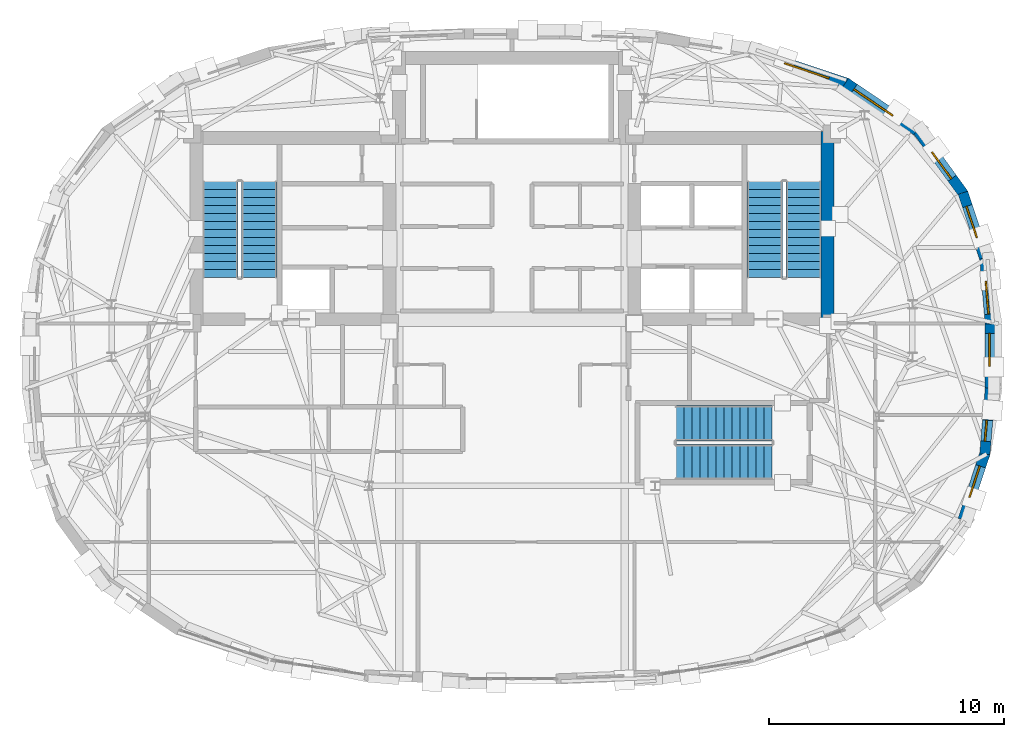
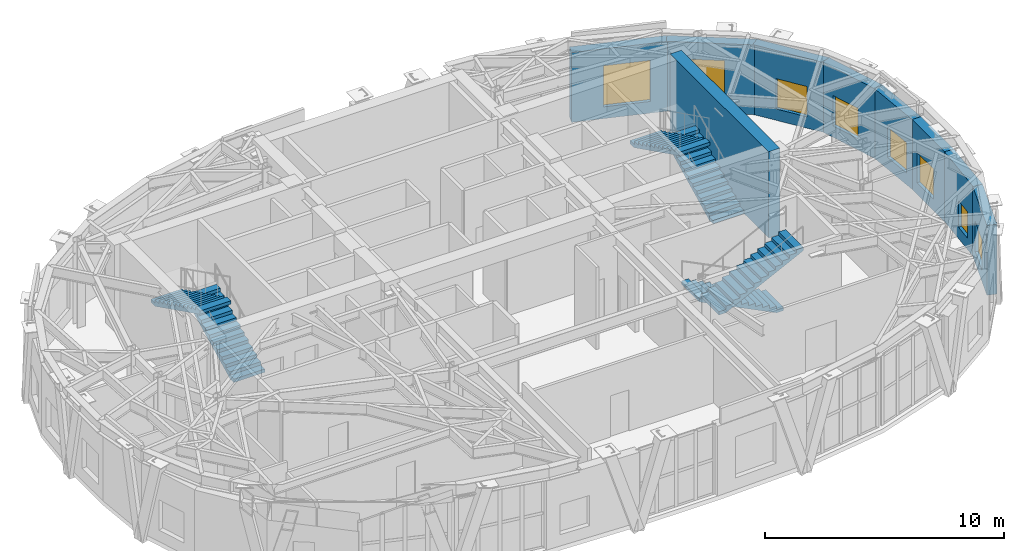
# One storey, part 13 of 16: 9 walls, 8 windows, 6 stair flights, 8 openings, 3 elements without a shape of their own.
"""IFC4 building model written with IfcOpenShell, lengths in metres."""

from ifc_helpers import new_model, si_unit, direction, frame, frame_2d, origin, place, context, subcontext, project, spatial, polyline, rectangle, outline, extrude, material, layer, layer_set, type_object, element, fill, aggregate, save


model = new_model("IFC4")

# Units and contexts
model_context = context("Model", 3, precision=1e-05, world=origin(), true_north=direction((0.0, 1.0)))
body_context = subcontext(model_context, "Body", "Model", "MODEL_VIEW")
ifc_project = project(units=[si_unit("LENGTHUNIT", "METRE"), si_unit("AREAUNIT", "SQUARE_METRE"), si_unit("VOLUMEUNIT", "CUBIC_METRE"), si_unit("PLANEANGLEUNIT", "RADIAN"), si_unit("MASSUNIT", "GRAM", prefix="KILO")], contexts=[model_context])

# Site, building, storey
site_placement = place(None, origin())
site = spatial("IfcSite", under=ifc_project, at=site_placement, CompositionType="ELEMENT")
building_placement = place(site_placement, origin())
building = spatial("IfcBuilding", under=site, at=building_placement, Name="Keldmark Tower", CompositionType="ELEMENT")
storey_placement = place(building_placement, frame((0.0, 0.0, 264.800048828125)))
storey = spatial("IfcBuildingStorey", under=building, at=storey_placement, Name="L75", CompositionType="ELEMENT", Elevation=264.800048828125)

# Wall
ifc_material_1 = material(Name="Concrete C50/60", Category="concrete")
ifc_layer_1 = layer(ifc_material_1, 0.550048828125)
ifc_layer_set_1 = layer_set([ifc_layer_1], Name="Concrete C50/60")
wall_type_1 = type_object("IfcWallType", Name="High-Rise Core Shear Wall 550 mm", PredefinedType="SHEAR", material=ifc_layer_set_1)
wall_1_placement = place(storey_placement, frame((13.425048828125, 1.300048828125, 0.0), z_axis=(0.0, 0.0, 1.0), x_axis=(0.0, 1.0, 0.0)))
element("IfcWall", 1, at=wall_1_placement, inside=storey, type_object=wall_type_1, Name="L75 East Core Outer Shear Wall", PredefinedType="SHEAR", context=body_context, shape_type="SweptSolid", body=[
    extrude(rectangle(XDim=8.25, YDim=0.550048828125, at=frame_2d((4.125, 0.0))), origin(), (0.0, 0.0, 1.0), 4.39990234375),
])

# Wall, opening, window
ifc_material_2 = material(Name="Ironspot Manganese Brick and Kasota Buff Limestone Spandrel Assembly", Category="masonry")
ifc_layer_2 = layer(ifc_material_2, 0.43994140625)
ifc_layer_set_2 = layer_set([ifc_layer_2], Name="Ironspot Manganese Brick and Kasota Buff Limestone Spandrel Assembly")
wall_type_2 = type_object("IfcWallType", Name="Tower Brick Pier and Spandrel Wall 440 mm", PredefinedType="STANDARD", material=ifc_layer_set_2)
wall_2_placement = place(storey_placement, frame((20.106201171875, 4.16162109375, 0.0), z_axis=(0.0, 0.0, 1.0), x_axis=(0.083719665048, -0.996489346498, 0.0)))
wall_2 = element("IfcWall", 2, at=wall_2_placement, inside=storey, type_object=wall_type_2, Name="L75 Exterior Brick and Spandrel Wall 01", PredefinedType="STANDARD", context=body_context, shape_type="SweptSolid", body=[
    extrude(rectangle(XDim=2.817138671875, YDim=0.43994140625, at=frame_2d((1.40869140625, 0.0))), origin(), (0.0, 0.0, 1.0), 3.56591796875),
])
opening_1_placement = place(wall_2_placement, frame((0.974853515625, 0.0, 0.60009765625)))
opening_1 = element("IfcOpeningElement", 3, at=opening_1_placement, cuts=wall_2, Name="Opening W-08", PredefinedType="OPENING", context=body_context, shape_type="SweptSolid", body=[
    extrude(rectangle(XDim=1.39990234375, YDim=1.550048828125, at=frame_2d((0.699951171875, 0.77490234375))), frame((0.0, 0.22998046875, 0.0), z_axis=(0.0, -1.0, 0.0), x_axis=(1.0, 0.0, 0.0)), (0.0, 0.0, 1.0), 0.4599609375),
])
ifc_material_3 = material(Name="Thermally Broken Anodized Aluminum and Triple Low-E Argon Glazing", Category="aluminium")
window_type_1 = type_object("IfcWindowType", Name="Residential Corner Punched Window 1400x1550", PartitioningType="SINGLE_PANEL", PredefinedType="WINDOW", material=ifc_material_3)
window_1_placement = place(opening_1_placement, origin())
window_1 = element("IfcWindow", 4, at=window_1_placement, inside=storey, type_object=window_type_1, Name="L75 Deep-Set Window 01", OverallHeight=1.550048828125, OverallWidth=1.39990234375, PartitioningType="SINGLE_PANEL", PredefinedType="WINDOW", context=body_context, shape_type="SweptSolid", body=[
    extrude(rectangle(XDim=1.39990234375, YDim=1.550048828125, at=frame_2d((0.699951171875, 0.77490234375))), frame((0.0, -0.010009765625, 0.0), z_axis=(0.0, -1.0, 0.0), x_axis=(1.0, 0.0, 0.0)), (0.0, 0.0, 1.0), 0.06005859375),
])
fill(opening_1, window_1)

wall_3_placement = place(storey_placement, frame((19.175537109375, 6.955078125, 0.0), z_axis=(0.0, 0.0, 1.0), x_axis=(0.314148979119, -0.949373698245, 0.0)))
wall_3 = element("IfcWall", 5, at=wall_3_placement, inside=storey, type_object=wall_type_2, Name="L75 Exterior Brick and Spandrel Wall 02", PredefinedType="STANDARD", context=body_context, shape_type="SweptSolid", body=[
    extrude(rectangle(XDim=2.995849609375, YDim=0.43994140625, at=frame_2d((1.498046875, 0.0))), origin(), (0.0, 0.0, 1.0), 3.56591796875),
])
opening_2_placement = place(wall_3_placement, frame((0.5986328125, 0.0, 0.580078125)))
opening_2 = element("IfcOpeningElement", 6, at=opening_2_placement, cuts=wall_3, Name="Opening W-08", PredefinedType="OPENING", context=body_context, shape_type="SweptSolid", body=[
    extrude(rectangle(XDim=1.39990234375, YDim=1.550048828125, at=frame_2d((0.699951171875, 0.77490234375))), frame((0.0, 0.22998046875, 0.0), z_axis=(0.0, -1.0, 0.0), x_axis=(1.0, 0.0, 0.0)), (0.0, 0.0, 1.0), 0.4599609375),
])
window_2_placement = place(opening_2_placement, origin())
window_2 = element("IfcWindow", 7, at=window_2_placement, inside=storey, type_object=window_type_1, Name="L75 Deep-Set Window 02", OverallHeight=1.550048828125, OverallWidth=1.39990234375, PartitioningType="SINGLE_PANEL", PredefinedType="WINDOW", context=body_context, shape_type="SweptSolid", body=[
    extrude(rectangle(XDim=1.39990234375, YDim=1.550048828125, at=frame_2d((0.699951171875, 0.77490234375))), frame((0.0, -0.010009765625, 0.0), z_axis=(0.0, -1.0, 0.0), x_axis=(1.0, 0.0, 0.0)), (0.0, 0.0, 1.0), 0.06005859375),
])
fill(opening_2, window_2)

wall_4_placement = place(storey_placement, frame((17.260498046875, 9.57275390625, 0.0), z_axis=(0.0, 0.0, 1.0), x_axis=(0.5878953838, -0.808936967697, 0.0)))
wall_4 = element("IfcWall", 8, at=wall_4_placement, inside=storey, type_object=wall_type_2, Name="L75 Exterior Brick and Spandrel Wall 03", PredefinedType="STANDARD", context=body_context, shape_type="SweptSolid", body=[
    extrude(rectangle(XDim=3.310302734375, YDim=0.43994140625, at=frame_2d((1.6552734375, 0.0))), origin(), (0.0, 0.0, 1.0), 3.56591796875),
])
opening_3_placement = place(wall_4_placement, frame((1.076904296875, 0.0, 0.580078125)))
opening_3 = element("IfcOpeningElement", 9, at=opening_3_placement, cuts=wall_4, Name="Opening W-08", PredefinedType="OPENING", context=body_context, shape_type="SweptSolid", body=[
    extrude(rectangle(XDim=1.39990234375, YDim=1.550048828125, at=frame_2d((0.699951171875, 0.77490234375))), frame((0.0, 0.22998046875, 0.0), z_axis=(0.0, -1.0, 0.0), x_axis=(1.0, 0.0, 0.0)), (0.0, 0.0, 1.0), 0.4599609375),
])
window_3_placement = place(opening_3_placement, origin())
window_3 = element("IfcWindow", 10, at=window_3_placement, inside=storey, type_object=window_type_1, Name="L75 Deep-Set Window 03", OverallHeight=1.550048828125, OverallWidth=1.39990234375, PartitioningType="SINGLE_PANEL", PredefinedType="WINDOW", context=body_context, shape_type="SweptSolid", body=[
    extrude(rectangle(XDim=1.39990234375, YDim=1.550048828125, at=frame_2d((0.699951171875, 0.77490234375))), frame((0.0, -0.010009765625, 0.0), z_axis=(0.0, -1.0, 0.0), x_axis=(1.0, 0.0, 0.0)), (0.0, 0.0, 1.0), 0.06005859375),
])
fill(opening_3, window_3)

wall_5_placement = place(storey_placement, frame((14.18798828125, 11.639892578125, 0.0), z_axis=(0.0, 0.0, 1.0), x_axis=(0.827740547026, -0.56111102895, 0.0)))
wall_5 = element("IfcWall", 11, at=wall_5_placement, inside=storey, type_object=wall_type_2, Name="L75 Exterior Brick and Spandrel Wall 04", PredefinedType="STANDARD", context=body_context, shape_type="SweptSolid", body=[
    extrude(rectangle(XDim=3.778076171875, YDim=0.43994140625, at=frame_2d((1.88916015625, 0.0))), origin(), (0.0, 0.0, 1.0), 3.56591796875),
])
opening_4_placement = place(wall_5_placement, frame((0.446044921875, 0.0, 0.60009765625)))
opening_4 = element("IfcOpeningElement", 12, at=opening_4_placement, cuts=wall_5, Name="Opening W-06", PredefinedType="OPENING", context=body_context, shape_type="SweptSolid", body=[
    extrude(rectangle(XDim=2.0, YDim=2.10009765625, at=frame_2d((1.0, 1.050048828125))), frame((0.0, 0.22998046875, 0.0), z_axis=(0.0, -1.0, 0.0), x_axis=(1.0, 0.0, 0.0)), (0.0, 0.0, 1.0), 0.4599609375),
])
ifc_material_4 = material(Name="Thermally Broken Anodized Aluminum and Triple Low-E Argon Glazing", Category="aluminium")
window_type_2 = type_object("IfcWindowType", Name="Sky Lounge Tall Punched Window 2000x2100", PartitioningType="SINGLE_PANEL", PredefinedType="WINDOW", material=ifc_material_4)
window_4_placement = place(opening_4_placement, origin())
window_4 = element("IfcWindow", 13, at=window_4_placement, inside=storey, type_object=window_type_2, Name="L75 Deep-Set Window 04", OverallHeight=2.10009765625, OverallWidth=2.0, PartitioningType="SINGLE_PANEL", PredefinedType="WINDOW", context=body_context, shape_type="SweptSolid", body=[
    extrude(rectangle(XDim=2.0, YDim=2.10009765625, at=frame_2d((1.0, 1.050048828125))), frame((0.0, -0.010009765625, 0.0), z_axis=(0.0, -1.0, 0.0), x_axis=(1.0, 0.0, 0.0)), (0.0, 0.0, 1.0), 0.06005859375),
])
fill(opening_4, window_4)

wall_6_placement = place(storey_placement, frame((10.29150390625, 12.9326171875, 0.0), z_axis=(0.0, 0.0, 1.0), x_axis=(0.948495542397, -0.316790476583, 0.0)))
wall_6 = element("IfcWall", 14, at=wall_6_placement, inside=storey, type_object=wall_type_2, Name="L75 Exterior Brick and Spandrel Wall 05", PredefinedType="STANDARD", context=body_context, shape_type="SweptSolid", body=[
    extrude(rectangle(XDim=4.164794921875, YDim=0.43994140625, at=frame_2d((2.08251953125, 0.0))), origin(), (0.0, 0.0, 1.0), 3.56591796875),
])
opening_5_placement = place(wall_6_placement, frame((1.37646484375, 0.0, 0.60009765625)))
opening_5 = element("IfcOpeningElement", 15, at=opening_5_placement, cuts=wall_6, Name="Opening W-06", PredefinedType="OPENING", context=body_context, shape_type="SweptSolid", body=[
    extrude(rectangle(XDim=2.0, YDim=2.10009765625, at=frame_2d((1.0, 1.050048828125))), frame((0.0, 0.22998046875, 0.0), z_axis=(0.0, -1.0, 0.0), x_axis=(1.0, 0.0, 0.0)), (0.0, 0.0, 1.0), 0.4599609375),
])
window_5_placement = place(opening_5_placement, origin())
window_5 = element("IfcWindow", 16, at=window_5_placement, inside=storey, type_object=window_type_2, Name="L75 Deep-Set Window 05", OverallHeight=2.10009765625, OverallWidth=2.0, PartitioningType="SINGLE_PANEL", PredefinedType="WINDOW", context=body_context, shape_type="SweptSolid", body=[
    extrude(rectangle(XDim=2.0, YDim=2.10009765625, at=frame_2d((1.0, 1.050048828125))), frame((0.0, -0.010009765625, 0.0), z_axis=(0.0, -1.0, 0.0), x_axis=(1.0, 0.0, 0.0)), (0.0, 0.0, 1.0), 0.06005859375),
])
fill(opening_5, window_5)

wall_7_placement = place(storey_placement, frame((20.11669921875, -4.11083984375, 0.0), z_axis=(0.0, 0.0, 1.0), x_axis=(-0.314148979119, -0.949373698245, 0.0)))
wall_7 = element("IfcWall", 17, at=wall_7_placement, inside=storey, type_object=wall_type_2, Name="L75 Exterior Brick and Spandrel Wall 30", PredefinedType="STANDARD", context=body_context, shape_type="SweptSolid", body=[
    extrude(rectangle(XDim=2.995849609375, YDim=0.43994140625, at=frame_2d((1.498046875, 0.0))), origin(), (0.0, 0.0, 1.0), 3.56591796875),
])
opening_6_placement = place(wall_7_placement, frame((0.5986328125, 0.0, 0.580078125)))
opening_6 = element("IfcOpeningElement", 18, at=opening_6_placement, cuts=wall_7, Name="Opening W-08", PredefinedType="OPENING", context=body_context, shape_type="SweptSolid", body=[
    extrude(rectangle(XDim=1.39990234375, YDim=1.550048828125, at=frame_2d((0.699951171875, 0.77490234375))), frame((0.0, 0.22998046875, 0.0), z_axis=(0.0, -1.0, 0.0), x_axis=(1.0, 0.0, 0.0)), (0.0, 0.0, 1.0), 0.4599609375),
])
window_6_placement = place(opening_6_placement, origin())
window_6 = element("IfcWindow", 19, at=window_6_placement, inside=storey, type_object=window_type_1, Name="L75 Deep-Set Window 30", OverallHeight=1.550048828125, OverallWidth=1.39990234375, PartitioningType="SINGLE_PANEL", PredefinedType="WINDOW", context=body_context, shape_type="SweptSolid", body=[
    extrude(rectangle(XDim=1.39990234375, YDim=1.550048828125, at=frame_2d((0.699951171875, 0.77490234375))), frame((0.0, -0.010009765625, 0.0), z_axis=(0.0, -1.0, 0.0), x_axis=(1.0, 0.0, 0.0)), (0.0, 0.0, 1.0), 0.06005859375),
])
fill(opening_6, window_6)

wall_8_placement = place(storey_placement, frame((20.342041015625, -1.3544921875, 0.0), z_axis=(0.0, 0.0, 1.0), x_axis=(-0.083719665048, -0.996489346498, 0.0)))
wall_8 = element("IfcWall", 20, at=wall_8_placement, inside=storey, type_object=wall_type_2, Name="L75 Exterior Brick and Spandrel Wall 31", PredefinedType="STANDARD", context=body_context, shape_type="SweptSolid", body=[
    extrude(rectangle(XDim=2.817138671875, YDim=0.43994140625, at=frame_2d((1.40869140625, 0.0))), origin(), (0.0, 0.0, 1.0), 3.56591796875),
])
opening_7_placement = place(wall_8_placement, frame((1.37451171875, 0.0, 0.580078125)))
opening_7 = element("IfcOpeningElement", 21, at=opening_7_placement, cuts=wall_8, Name="Opening W-09", PredefinedType="OPENING", context=body_context, shape_type="SweptSolid", body=[
    extrude(rectangle(XDim=0.89990234375, YDim=1.35009765625, at=frame_2d((0.449951171875, 0.675048828125))), frame((0.0, 0.22998046875, 0.0), z_axis=(0.0, -1.0, 0.0), x_axis=(1.0, 0.0, 0.0)), (0.0, 0.0, 1.0), 0.4599609375),
])
ifc_material_5 = material(Name="Thermally Broken Anodized Aluminum and Triple Low-E Argon Glazing", Category="aluminium")
window_type_3 = type_object("IfcWindowType", Name="Corner Pier Deep-Set Window 900x1350", PartitioningType="SINGLE_PANEL", PredefinedType="WINDOW", material=ifc_material_5)
window_7_placement = place(opening_7_placement, origin())
window_7 = element("IfcWindow", 22, at=window_7_placement, inside=storey, type_object=window_type_3, Name="L75 Deep-Set Window 31", OverallHeight=1.35009765625, OverallWidth=0.89990234375, PartitioningType="SINGLE_PANEL", PredefinedType="WINDOW", context=body_context, shape_type="SweptSolid", body=[
    extrude(rectangle(XDim=0.89990234375, YDim=1.35009765625, at=frame_2d((0.449951171875, 0.675048828125))), frame((0.0, -0.010009765625, 0.0), z_axis=(0.0, -1.0, 0.0), x_axis=(1.0, 0.0, 0.0)), (0.0, 0.0, 1.0), 0.06005859375),
])
fill(opening_7, window_7)

wall_9_placement = place(storey_placement, frame((20.34130859375, 1.372802734375, 0.0), z_axis=(0.0, 0.0, 1.0), x_axis=(0.0, -1.0, 0.0)))
wall_9 = element("IfcWall", 23, at=wall_9_placement, inside=storey, type_object=wall_type_2, Name="L75 Exterior Brick and Spandrel Wall 32", PredefinedType="STANDARD", context=body_context, shape_type="SweptSolid", body=[
    extrude(rectangle(XDim=2.74560546875, YDim=0.43994140625, at=frame_2d((1.372802734375, 0.0))), origin(), (0.0, 0.0, 1.0), 3.56591796875),
])
opening_8_placement = place(wall_9_placement, frame((0.399169921875, 0.0, 0.580078125)))
opening_8 = element("IfcOpeningElement", 24, at=opening_8_placement, cuts=wall_9, Name="Opening W-08", PredefinedType="OPENING", context=body_context, shape_type="SweptSolid", body=[
    extrude(rectangle(XDim=1.39990234375, YDim=1.550048828125, at=frame_2d((0.699951171875, 0.77490234375))), frame((0.0, 0.22998046875, 0.0), z_axis=(0.0, -1.0, 0.0), x_axis=(1.0, 0.0, 0.0)), (0.0, 0.0, 1.0), 0.4599609375),
])
window_8_placement = place(opening_8_placement, origin())
window_8 = element("IfcWindow", 25, at=window_8_placement, inside=storey, type_object=window_type_1, Name="L75 Deep-Set Window 32", OverallHeight=1.550048828125, OverallWidth=1.39990234375, PartitioningType="SINGLE_PANEL", PredefinedType="WINDOW", context=body_context, shape_type="SweptSolid", body=[
    extrude(rectangle(XDim=1.39990234375, YDim=1.550048828125, at=frame_2d((0.699951171875, 0.77490234375))), frame((0.0, -0.010009765625, 0.0), z_axis=(0.0, -1.0, 0.0), x_axis=(1.0, 0.0, 0.0)), (0.0, 0.0, 1.0), 0.06005859375),
])
fill(opening_8, window_8)

# Stair, stair flights
ifc_material_6 = material(Name="Concrete C40/50", Category="concrete")
stair_type = type_object("IfcStairType", Name="Precast Concrete Core Exit Stair", PredefinedType="HALF_TURN_STAIR", material=ifc_material_6)
stair_1_placement = place(storey_placement, origin())
stair_1 = element("IfcStair", 26, at=stair_1_placement, inside=storey, type_object=stair_type, Name="L75 Exit Stair ST1", PredefinedType="HALF_TURN_STAIR")
ifc_material_7 = material(Name="Concrete C40/50", Category="concrete")
stair_flight_type = type_object("IfcStairFlightType", Name="Precast Concrete Stair Flight 1500 mm", PredefinedType="STRAIGHT", material=ifc_material_7)
stair_flight_1_placement = place(storey_placement, frame((-10.75, 3.35009765625, 0.0), z_axis=(0.0, 0.0, 1.0), x_axis=(0.0, 1.0, 0.0)))
stair_flight_1 = element("IfcStairFlight", 27, at=stair_flight_1_placement, type_object=stair_flight_type, Name="ST1 flight 1", NumberOfRisers=13, NumberOfTreads=12, PredefinedType="STRAIGHT", RiserHeight=0.169230769, TreadLength=0.34, context=body_context, shape_type="SweptSolid", body=[
    extrude(outline(polyline([(0.0, 0.0), (0.0, 0.169189453125), (0.340087890625, 0.169189453125), (0.340087890625, 0.33837890625), (0.679931640625, 0.33837890625), (0.679931640625, 0.5078125), (1.02001953125, 0.5078125), (1.02001953125, 0.677001953125), (1.360107421875, 0.677001953125), (1.360107421875, 0.84619140625), (1.699951171875, 0.84619140625), (1.699951171875, 1.015380859375), (2.0400390625, 1.015380859375), (2.0400390625, 1.1845703125), (2.3798828125, 1.1845703125), (2.3798828125, 1.353759765625), (2.719970703125, 1.353759765625), (2.719970703125, 1.523193359375), (3.06005859375, 1.523193359375), (3.06005859375, 1.6923828125), (3.39990234375, 1.6923828125), (3.39990234375, 1.861572265625), (3.739990234375, 1.861572265625), (3.739990234375, 2.03076171875), (4.080078125, 2.03076171875), (4.080078125, 2.199951171875), (4.080078125, 1.86328125), (0.33642578125, 0.0), (0.0, 0.0)])), frame((0.0, 0.75, 0.0), z_axis=(0.0, -1.0, 0.0), x_axis=(1.0, 0.0, 0.0)), (0.0, 0.0, 1.0), 1.5),
])
stair_flight_2_placement = place(storey_placement, frame((-12.39990234375, 7.429931640625, 2.199951171875), z_axis=(0.0, 0.0, 1.0), x_axis=(0.0, -1.0, 0.0)))
stair_flight_2 = element("IfcStairFlight", 28, at=stair_flight_2_placement, type_object=stair_flight_type, Name="ST1 flight 2", NumberOfRisers=13, NumberOfTreads=12, PredefinedType="STRAIGHT", RiserHeight=0.169230769, TreadLength=0.34, context=body_context, shape_type="SweptSolid", body=[
    extrude(outline(polyline([(0.0, 0.0), (0.0, 0.169189453125), (0.340087890625, 0.169189453125), (0.340087890625, 0.33837890625), (0.679931640625, 0.33837890625), (0.679931640625, 0.5078125), (1.02001953125, 0.5078125), (1.02001953125, 0.677001953125), (1.360107421875, 0.677001953125), (1.360107421875, 0.84619140625), (1.699951171875, 0.84619140625), (1.699951171875, 1.015380859375), (2.0400390625, 1.015380859375), (2.0400390625, 1.1845703125), (2.3798828125, 1.1845703125), (2.3798828125, 1.353759765625), (2.719970703125, 1.353759765625), (2.719970703125, 1.523193359375), (3.06005859375, 1.523193359375), (3.06005859375, 1.6923828125), (3.39990234375, 1.6923828125), (3.39990234375, 1.861572265625), (3.739990234375, 1.861572265625), (3.739990234375, 2.03076171875), (4.080078125, 2.03076171875), (4.080078125, 2.199951171875), (4.080078125, 1.86328125), (0.33642578125, 0.0), (0.0, 0.0)])), frame((0.0, 0.75, 0.0), z_axis=(0.0, -1.0, 0.0), x_axis=(1.0, 0.0, 0.0)), (0.0, 0.0, 1.0), 1.5),
])
aggregate(stair_1, [stair_flight_1, stair_flight_2])

stair_2_placement = place(storey_placement, origin())
stair_2 = element("IfcStair", 29, at=stair_2_placement, inside=storey, type_object=stair_type, Name="L75 Exit Stair ST2", PredefinedType="HALF_TURN_STAIR")
stair_flight_3_placement = place(storey_placement, frame((12.39990234375, 3.35009765625, 0.0), z_axis=(0.0, 0.0, 1.0), x_axis=(0.0, 1.0, 0.0)))
stair_flight_3 = element("IfcStairFlight", 30, at=stair_flight_3_placement, type_object=stair_flight_type, Name="ST2 flight 1", NumberOfRisers=13, NumberOfTreads=12, PredefinedType="STRAIGHT", RiserHeight=0.169230769, TreadLength=0.34, context=body_context, shape_type="SweptSolid", body=[
    extrude(outline(polyline([(0.0, 0.0), (0.0, 0.169189453125), (0.340087890625, 0.169189453125), (0.340087890625, 0.33837890625), (0.679931640625, 0.33837890625), (0.679931640625, 0.5078125), (1.02001953125, 0.5078125), (1.02001953125, 0.677001953125), (1.360107421875, 0.677001953125), (1.360107421875, 0.84619140625), (1.699951171875, 0.84619140625), (1.699951171875, 1.015380859375), (2.0400390625, 1.015380859375), (2.0400390625, 1.1845703125), (2.3798828125, 1.1845703125), (2.3798828125, 1.353759765625), (2.719970703125, 1.353759765625), (2.719970703125, 1.523193359375), (3.06005859375, 1.523193359375), (3.06005859375, 1.6923828125), (3.39990234375, 1.6923828125), (3.39990234375, 1.861572265625), (3.739990234375, 1.861572265625), (3.739990234375, 2.03076171875), (4.080078125, 2.03076171875), (4.080078125, 2.199951171875), (4.080078125, 1.86328125), (0.33642578125, 0.0), (0.0, 0.0)])), frame((0.0, 0.75, 0.0), z_axis=(0.0, -1.0, 0.0), x_axis=(1.0, 0.0, 0.0)), (0.0, 0.0, 1.0), 1.5),
])
stair_flight_4_placement = place(storey_placement, frame((10.75, 7.429931640625, 2.199951171875), z_axis=(0.0, 0.0, 1.0), x_axis=(0.0, -1.0, 0.0)))
stair_flight_4 = element("IfcStairFlight", 31, at=stair_flight_4_placement, type_object=stair_flight_type, Name="ST2 flight 2", NumberOfRisers=13, NumberOfTreads=12, PredefinedType="STRAIGHT", RiserHeight=0.169230769, TreadLength=0.34, context=body_context, shape_type="SweptSolid", body=[
    extrude(outline(polyline([(0.0, 0.0), (0.0, 0.169189453125), (0.340087890625, 0.169189453125), (0.340087890625, 0.33837890625), (0.679931640625, 0.33837890625), (0.679931640625, 0.5078125), (1.02001953125, 0.5078125), (1.02001953125, 0.677001953125), (1.360107421875, 0.677001953125), (1.360107421875, 0.84619140625), (1.699951171875, 0.84619140625), (1.699951171875, 1.015380859375), (2.0400390625, 1.015380859375), (2.0400390625, 1.1845703125), (2.3798828125, 1.1845703125), (2.3798828125, 1.353759765625), (2.719970703125, 1.353759765625), (2.719970703125, 1.523193359375), (3.06005859375, 1.523193359375), (3.06005859375, 1.6923828125), (3.39990234375, 1.6923828125), (3.39990234375, 1.861572265625), (3.739990234375, 1.861572265625), (3.739990234375, 2.03076171875), (4.080078125, 2.03076171875), (4.080078125, 2.199951171875), (4.080078125, 1.86328125), (0.33642578125, 0.0), (0.0, 0.0)])), frame((0.0, 0.75, 0.0), z_axis=(0.0, -1.0, 0.0), x_axis=(1.0, 0.0, 0.0)), (0.0, 0.0, 1.0), 1.5),
])
aggregate(stair_2, [stair_flight_3, stair_flight_4])

stair_3_placement = place(storey_placement, origin())
stair_3 = element("IfcStair", 32, at=stair_3_placement, inside=storey, type_object=stair_type, Name="L75 East Crown Exit Stair ST4", PredefinedType="HALF_TURN_STAIR")
stair_flight_5_placement = place(storey_placement, frame((11.050048828125, -2.85009765625, 0.0), z_axis=(0.0, 0.0, 1.0), x_axis=(-1.0, 0.0, 0.0)))
stair_flight_5 = element("IfcStairFlight", 33, at=stair_flight_5_placement, type_object=stair_flight_type, Name="ST4 flight 1", NumberOfRisers=13, NumberOfTreads=12, PredefinedType="STRAIGHT", RiserHeight=0.169230769, TreadLength=0.34, context=body_context, shape_type="SweptSolid", body=[
    extrude(outline(polyline([(0.0, 0.0), (0.0, 0.169189453125), (0.340087890625, 0.169189453125), (0.340087890625, 0.33837890625), (0.679931640625, 0.33837890625), (0.679931640625, 0.5078125), (1.02001953125, 0.5078125), (1.02001953125, 0.677001953125), (1.360107421875, 0.677001953125), (1.360107421875, 0.84619140625), (1.699951171875, 0.84619140625), (1.699951171875, 1.015380859375), (2.0400390625, 1.015380859375), (2.0400390625, 1.1845703125), (2.3798828125, 1.1845703125), (2.3798828125, 1.353759765625), (2.719970703125, 1.353759765625), (2.719970703125, 1.523193359375), (3.06005859375, 1.523193359375), (3.06005859375, 1.6923828125), (3.39990234375, 1.6923828125), (3.39990234375, 1.861572265625), (3.739990234375, 1.861572265625), (3.739990234375, 2.03076171875), (4.080078125, 2.03076171875), (4.080078125, 2.199951171875), (4.080078125, 1.86328125), (0.33642578125, 0.0), (0.0, 0.0)])), frame((0.0, 0.75, 0.0), z_axis=(0.0, -1.0, 0.0), x_axis=(1.0, 0.0, 0.0)), (0.0, 0.0, 1.0), 1.5),
])
stair_flight_6_placement = place(storey_placement, frame((6.969970703125, -4.5, 2.199951171875), z_axis=(0.0, 0.0, 1.0), x_axis=(1.0, 0.0, 0.0)))
stair_flight_6 = element("IfcStairFlight", 34, at=stair_flight_6_placement, type_object=stair_flight_type, Name="ST4 flight 2", NumberOfRisers=13, NumberOfTreads=12, PredefinedType="STRAIGHT", RiserHeight=0.169230769, TreadLength=0.34, context=body_context, shape_type="SweptSolid", body=[
    extrude(outline(polyline([(0.0, 0.0), (0.0, 0.169189453125), (0.340087890625, 0.169189453125), (0.340087890625, 0.33837890625), (0.679931640625, 0.33837890625), (0.679931640625, 0.5078125), (1.02001953125, 0.5078125), (1.02001953125, 0.677001953125), (1.360107421875, 0.677001953125), (1.360107421875, 0.84619140625), (1.699951171875, 0.84619140625), (1.699951171875, 1.015380859375), (2.0400390625, 1.015380859375), (2.0400390625, 1.1845703125), (2.3798828125, 1.1845703125), (2.3798828125, 1.353759765625), (2.719970703125, 1.353759765625), (2.719970703125, 1.523193359375), (3.06005859375, 1.523193359375), (3.06005859375, 1.6923828125), (3.39990234375, 1.6923828125), (3.39990234375, 1.861572265625), (3.739990234375, 1.861572265625), (3.739990234375, 2.03076171875), (4.080078125, 2.03076171875), (4.080078125, 2.199951171875), (4.080078125, 1.86328125), (0.33642578125, 0.0), (0.0, 0.0)])), frame((0.0, 0.75, 0.0), z_axis=(0.0, -1.0, 0.0), x_axis=(1.0, 0.0, 0.0)), (0.0, 0.0, 1.0), 1.5),
])
aggregate(stair_3, [stair_flight_5, stair_flight_6])

save(model, "model.ifc")
